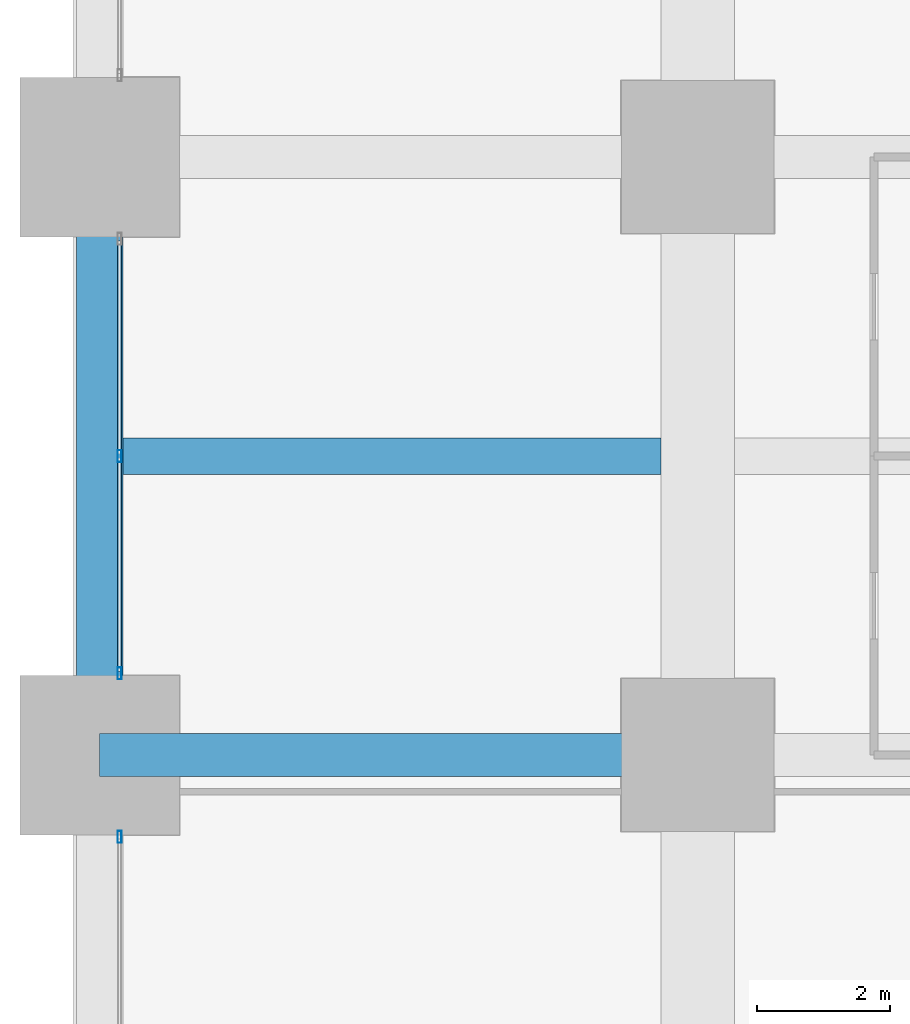
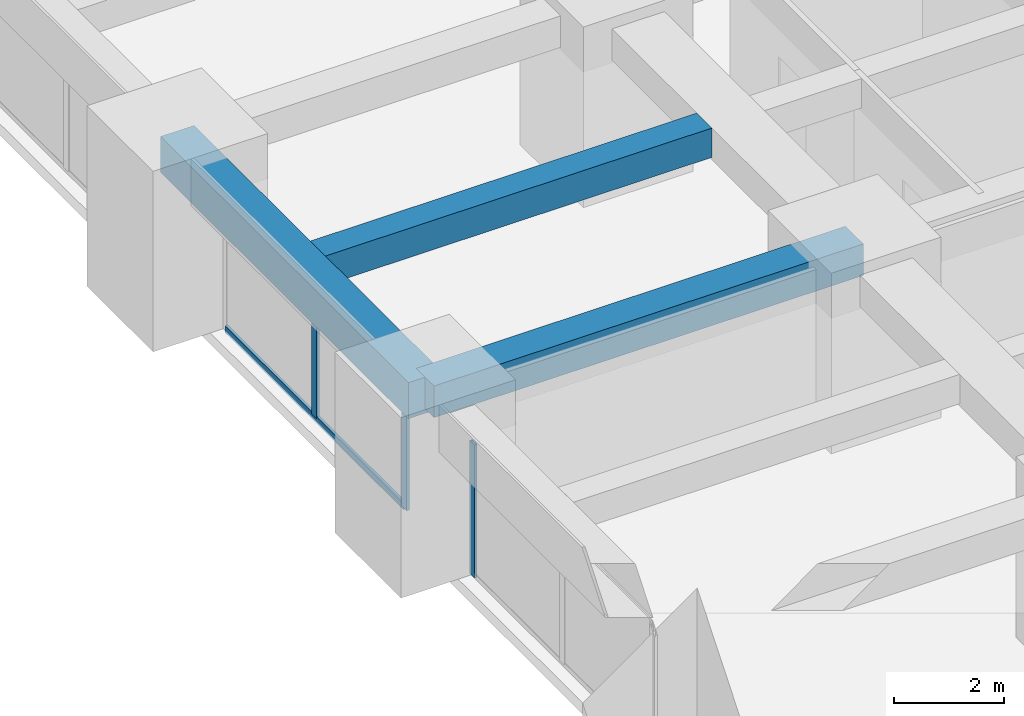
# One storey, part 9 of 45: 4 members, 3 beams, 2 elements without a shape of their own.
"""IFC4 building model written with IfcOpenShell, lengths in metres."""

from ifc_helpers import new_model, si_unit, direction, frame, origin, origin_2d, place, context, subcontext, project, spatial, rectangle, hollow_rectangle, extrude, material, material_profile, profile_set, type_object, element, aggregate, save


model = new_model("IFC4")

# Units and contexts
model_context = context("Model", 3, precision=1e-05, world=origin(), true_north=direction((0.0, 1.0)))
body_context = subcontext(model_context, "Body", "Model", "MODEL_VIEW")
ifc_project = project(units=[si_unit("LENGTHUNIT", "METRE"), si_unit("AREAUNIT", "SQUARE_METRE"), si_unit("VOLUMEUNIT", "CUBIC_METRE"), si_unit("PLANEANGLEUNIT", "RADIAN"), si_unit("MASSUNIT", "GRAM", prefix="KILO")], contexts=[model_context])

# Site, building, storey
site_placement = place(None, origin())
site = spatial("IfcSite", under=ifc_project, at=site_placement, CompositionType="ELEMENT")
building_placement = place(site_placement, origin())
building = spatial("IfcBuilding", under=site, at=building_placement, Name="Zorevar Civic Tower", CompositionType="ELEMENT")
storey_placement = place(building_placement, frame((0.0, 0.0, 27.800048828125)))
storey = spatial("IfcBuildingStorey", under=building, at=storey_placement, Name="L06", CompositionType="ELEMENT", Elevation=27.800048828125)

# Beams
ifc_material_1 = material(Name="Concrete C50/60", Category="concrete")
ifc_material_profile_1 = material_profile(ifc_material_1, rectangle(XDim=0.550048828125, YDim=0.64990234375, at=origin_2d()), Name="RC 550x650")
ifc_profile_set_1 = profile_set([ifc_material_profile_1], Name="Concrete C50/60")
beam_type_1 = type_object("IfcBeamType", Name="Beam RC 550x650", PredefinedType="BEAM", material=ifc_profile_set_1)
beam_1_placement = place(storey_placement, frame((0.35009765625, 22.5, 3.425048828125), z_axis=(1.0, 0.0, 0.0), x_axis=(0.0, 1.0, 0.0)))
element("IfcBeam", 1, at=beam_1_placement, inside=storey, type_object=beam_type_1, Name="Secondary beam L07", PredefinedType="BEAM", context=body_context, shape_type="SweptSolid", body=[
    extrude(rectangle(XDim=0.550048828125, YDim=0.64990234375, at=origin_2d()), origin(), (0.0, 0.0, 1.0), 8.099853515625),
])
ifc_material_2 = material(Name="Concrete C50/60", Category="concrete")
ifc_material_profile_2 = material_profile(ifc_material_2, rectangle(XDim=0.64990234375, YDim=0.699951171875, at=origin_2d()), Name="RC 650x700")
ifc_profile_set_2 = profile_set([ifc_material_profile_2], Name="Concrete C50/60")
beam_type_2 = type_object("IfcBeamType", Name="Beam RC 650x700", PredefinedType="BEAM", material=ifc_profile_set_2)
beam_2_placement = place(storey_placement, frame((0.0, 18.0, 3.39990234375), z_axis=(1.0, 0.0, 0.0), x_axis=(0.0, 1.0, 0.0)))
element("IfcBeam", 2, at=beam_2_placement, inside=storey, type_object=beam_type_2, Name="Girder L07", PredefinedType="BEAM", context=body_context, shape_type="SweptSolid", body=[
    extrude(rectangle(XDim=0.64990234375, YDim=0.699951171875, at=origin_2d()), origin(), (0.0, 0.0, 1.0), 9.0),
])

# Curtain wall, member
ifc_material_3 = material(Name="Dark grey solar-control glass in black aluminium frame", Category="aluminium")
curtain_wall_type = type_object("IfcCurtainWallType", Name="Curtain wall CW2 low zone", PredefinedType="NOTDEFINED", material=ifc_material_3)
curtain_wall_1_placement = place(storey_placement, origin())
curtain_wall_1 = element("IfcCurtainWall", 3, at=curtain_wall_1_placement, inside=storey, type_object=curtain_wall_type, Name="CW2 L06", PredefinedType="NOTDEFINED")
ifc_material_4 = material(Name="Aluminium, black anodised", Category="aluminium")
ifc_material_profile_3 = material_profile(ifc_material_4, hollow_rectangle(XDim=0.06005859375, YDim=0.179931640625, WallThickness=0.00390625, at=origin_2d()), Name="AL 180x60x4")
ifc_profile_set_3 = profile_set([ifc_material_profile_3], Name="Aluminium, black anodised")
member_type_1 = type_object("IfcMemberType", Name="CW2 mullion AL 180x60x4", PredefinedType="MULLION", material=ifc_profile_set_3)
member_1_placement = place(storey_placement, frame((0.300048828125, 16.77001953125, 0.0), z_axis=(0.0, 0.0, 1.0), x_axis=(-1.0, 0.0, 0.0)))
member_1 = element("IfcMember", 4, at=member_1_placement, type_object=member_type_1, Name="CW2 mullion 3", PredefinedType="MULLION", context=body_context, shape_type="SweptSolid", body=[
    extrude(hollow_rectangle(XDim=0.06005859375, YDim=0.179931640625, WallThickness=0.00390625, at=origin_2d()), origin(), (0.0, 0.0, 1.0), 2.949951171875),
])
aggregate(curtain_wall_1, [member_1])

# Curtain wall, members
curtain_wall_2_placement = place(storey_placement, origin())
curtain_wall_2 = element("IfcCurtainWall", 5, at=curtain_wall_2_placement, inside=storey, type_object=curtain_wall_type, Name="CW2 L06", PredefinedType="NOTDEFINED")
member_2_placement = place(storey_placement, frame((0.300048828125, 19.22998046875, 0.0), z_axis=(0.0, 0.0, 1.0), x_axis=(-1.0, 0.0, 0.0)))
member_2 = element("IfcMember", 6, at=member_2_placement, type_object=member_type_1, Name="CW2 mullion 1", PredefinedType="MULLION", context=body_context, shape_type="SweptSolid", body=[
    extrude(hollow_rectangle(XDim=0.06005859375, YDim=0.179931640625, WallThickness=0.00390625, at=origin_2d()), origin(), (0.0, 0.0, 1.0), 2.949951171875),
])
member_3_placement = place(storey_placement, frame((0.300048828125, 22.5, 0.06005859375), z_axis=(0.0, 0.0, 1.0), x_axis=(-1.0, 0.0, 0.0)))
member_3 = element("IfcMember", 7, at=member_3_placement, type_object=member_type_1, Name="CW2 mullion 2", PredefinedType="MULLION", context=body_context, shape_type="SweptSolid", body=[
    extrude(hollow_rectangle(XDim=0.06005859375, YDim=0.179931640625, WallThickness=0.00390625, at=origin_2d()), origin(), (0.0, 0.0, 1.0), 2.889892578125),
])
ifc_material_5 = material(Name="Aluminium, black anodised", Category="aluminium")
ifc_material_profile_4 = material_profile(ifc_material_5, hollow_rectangle(XDim=0.06005859375, YDim=0.14990234375, WallThickness=0.00390625, at=origin_2d()), Name="AL 150x60x4")
ifc_profile_set_4 = profile_set([ifc_material_profile_4], Name="Aluminium, black anodised")
member_type_2 = type_object("IfcMemberType", Name="CW2 transom AL 150x60x4", PredefinedType="USERDEFINED", material=ifc_profile_set_4)
member_4_placement = place(storey_placement, frame((0.300048828125, 19.260009765625, 0.030029296875), z_axis=(0.0, 1.0, 0.0), x_axis=(-1.0, 0.0, 0.0)))
member_4 = element("IfcMember", 8, at=member_4_placement, type_object=member_type_2, Name="CW2 sill transom", ObjectType="TRANSOM", PredefinedType="USERDEFINED", context=body_context, shape_type="SweptSolid", body=[
    extrude(hollow_rectangle(XDim=0.06005859375, YDim=0.14990234375, WallThickness=0.00390625, at=origin_2d()), origin(), (0.0, 0.0, 1.0), 6.47998046875),
])
aggregate(curtain_wall_2, [member_2, member_3, member_4])

# Beam
ifc_material_6 = material(Name="Concrete C50/60", Category="concrete")
ifc_material_profile_5 = material_profile(ifc_material_6, rectangle(XDim=0.699951171875, YDim=0.800048828125, at=origin_2d()), Name="RC 700x800")
ifc_profile_set_5 = profile_set([ifc_material_profile_5], Name="Concrete C50/60")
beam_type_3 = type_object("IfcBeamType", Name="Edge beam RC 700x800", PredefinedType="SPANDREL", material=ifc_profile_set_5)
beam_3_placement = place(storey_placement, frame((0.0, 18.0, 3.349853515625), z_axis=(0.0, 1.0, 0.0), x_axis=(-1.0, 0.0, 0.0)))
element("IfcBeam", 9, at=beam_3_placement, inside=storey, type_object=beam_type_3, Name="Edge beam L07", PredefinedType="SPANDREL", context=body_context, shape_type="SweptSolid", body=[
    extrude(rectangle(XDim=0.699951171875, YDim=0.800048828125, at=origin_2d()), origin(), (0.0, 0.0, 1.0), 9.0),
])

save(model, "model.ifc")
